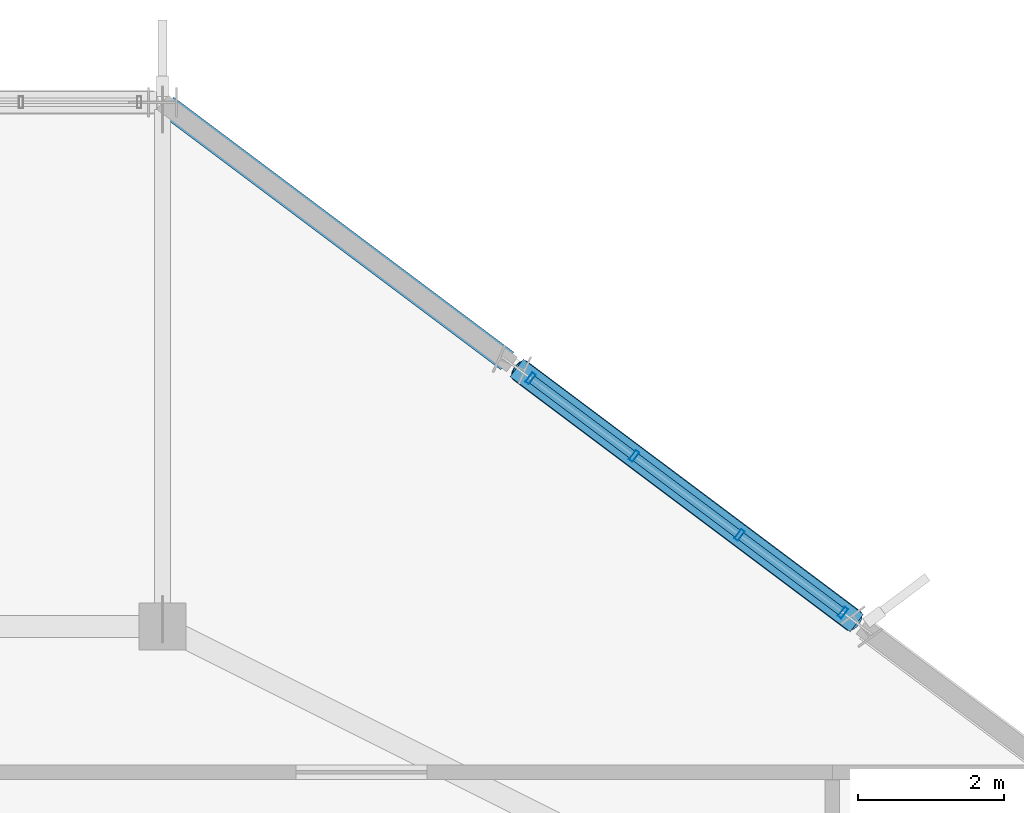
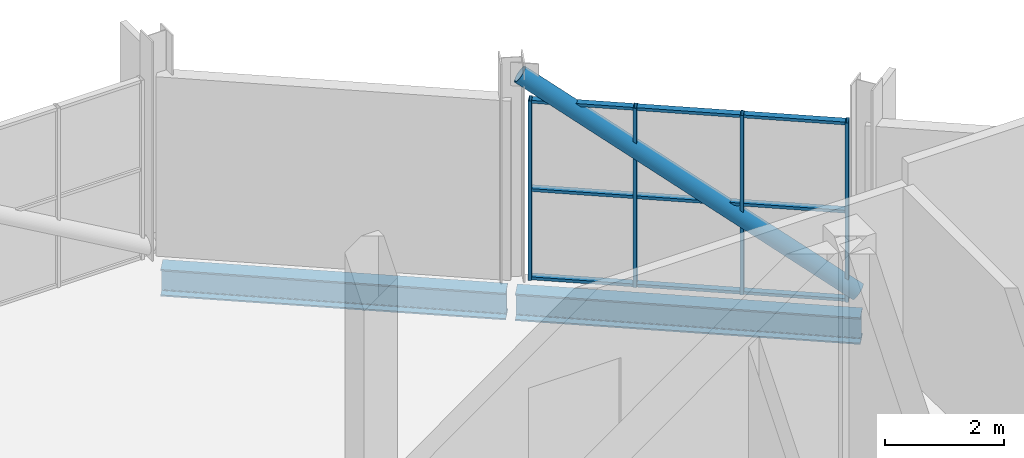
# One storey, part 10 of 22: 14 members, 2 beams, 1 element without a shape of its own.
"""IFC4 building model written with IfcOpenShell, lengths in metres."""

from ifc_helpers import new_model, si_unit, direction, frame, origin, origin_2d, place, context, subcontext, project, spatial, hollow_rectangle, hollow_circle, i_section, extrude, material, layer, layer_set, material_profile, profile_set, type_object, element, aggregate, save


model = new_model("IFC4")

# Units and contexts
model_context = context("Model", 3, precision=1e-05, world=origin(), true_north=direction((0.0, 1.0)))
body_context = subcontext(model_context, "Body", "Model", "MODEL_VIEW")
ifc_project = project(units=[si_unit("LENGTHUNIT", "METRE"), si_unit("AREAUNIT", "SQUARE_METRE"), si_unit("VOLUMEUNIT", "CUBIC_METRE"), si_unit("PLANEANGLEUNIT", "RADIAN"), si_unit("MASSUNIT", "GRAM", prefix="KILO")], contexts=[model_context])

# Site, building, storey
site_placement = place(None, origin())
site = spatial("IfcSite", under=ifc_project, at=site_placement, CompositionType="ELEMENT")
building_placement = place(site_placement, origin())
building = spatial("IfcBuilding", under=site, at=building_placement, Name="Solnavia Interchange Tower", CompositionType="ELEMENT")
storey_placement = place(building_placement, frame((0.0, 0.0, 308.699951171875)))
storey = spatial("IfcBuildingStorey", under=building, at=storey_placement, Name="C02", CompositionType="ELEMENT", Elevation=308.699951171875)

# Curtain wall, members
ifc_material_1 = material(Name="Aluminium Alloy 6063-T6", Category="aluminium")
ifc_layer = layer(ifc_material_1, 0.179931640625)
ifc_layer_set = layer_set([ifc_layer], Name="Aluminium Alloy 6063-T6")
curtain_wall_type = type_object("IfcCurtainWallType", Name="CurtainWall-Crown-CTW6", PredefinedType="NOTDEFINED", material=ifc_layer_set)
curtain_wall_placement = place(storey_placement, origin())
curtain_wall = element("IfcCurtainWall", 1, at=curtain_wall_placement, inside=storey, type_object=curtain_wall_type, Name="CTW-C02-R03 CTW-6 curtain wall", PredefinedType="NOTDEFINED")
ifc_material_profile_1 = material_profile(ifc_material_1, hollow_rectangle(XDim=0.06005859375, YDim=0.159912109375, WallThickness=0.00390625, at=origin_2d()), Name="ALU 160x60x4")
ifc_profile_set_1 = profile_set([ifc_material_profile_1], Name="Aluminium Alloy 6063-T6")
member_type_1 = type_object("IfcMemberType", Name="CW-Mullion-CWM-6", PredefinedType="MULLION", material=ifc_profile_set_1)
member_1_placement = place(storey_placement, frame((34.545166015625, 28.9912109375, 0.0), z_axis=(0.0, 0.0, 1.0), x_axis=(-0.799999999998, 0.600000000002, 0.0)))
member_1 = element("IfcMember", 2, at=member_1_placement, type_object=member_type_1, Name="CTW-6 mullion 1", PredefinedType="MULLION", context=body_context, shape_type="SweptSolid", body=[
    extrude(hollow_rectangle(XDim=0.06005859375, YDim=0.159912109375, WallThickness=0.00390625, at=origin_2d()), origin(), (0.0, 0.0, 1.0), 3.679931640625),
])
member_2_placement = place(storey_placement, frame((33.123046875, 30.0576171875, 0.0), z_axis=(0.0, 0.0, 1.0), x_axis=(-0.799999999998, 0.600000000002, 0.0)))
member_2 = element("IfcMember", 3, at=member_2_placement, type_object=member_type_1, Name="CTW-6 mullion 2", PredefinedType="MULLION", context=body_context, shape_type="SweptSolid", body=[
    extrude(hollow_rectangle(XDim=0.06005859375, YDim=0.159912109375, WallThickness=0.00390625, at=origin_2d()), origin(), (0.0, 0.0, 1.0), 3.679931640625),
])
member_3_placement = place(storey_placement, frame((31.677001953125, 31.142333984375, 0.0), z_axis=(0.0, 0.0, 1.0), x_axis=(-0.799999999998, 0.600000000002, 0.0)))
member_3 = element("IfcMember", 4, at=member_3_placement, type_object=member_type_1, Name="CTW-6 mullion 3", PredefinedType="MULLION", context=body_context, shape_type="SweptSolid", body=[
    extrude(hollow_rectangle(XDim=0.06005859375, YDim=0.159912109375, WallThickness=0.00390625, at=origin_2d()), origin(), (0.0, 0.0, 1.0), 3.679931640625),
])
member_4_placement = place(storey_placement, frame((30.2548828125, 32.208984375, 0.0), z_axis=(0.0, 0.0, 1.0), x_axis=(-0.799999999998, 0.600000000002, 0.0)))
member_4 = element("IfcMember", 5, at=member_4_placement, type_object=member_type_1, Name="CTW-6 mullion 4", PredefinedType="MULLION", context=body_context, shape_type="SweptSolid", body=[
    extrude(hollow_rectangle(XDim=0.06005859375, YDim=0.159912109375, WallThickness=0.00390625, at=origin_2d()), origin(), (0.0, 0.0, 1.0), 3.679931640625),
])
ifc_material_profile_2 = material_profile(ifc_material_1, hollow_rectangle(XDim=0.06005859375, YDim=0.1201171875, WallThickness=0.00390625, at=origin_2d()), Name="ALU 120x60x4")
ifc_profile_set_2 = profile_set([ifc_material_profile_2], Name="Aluminium Alloy 6063-T6")
member_type_2 = type_object("IfcMemberType", Name="CW-Transom-CWT-6", PredefinedType="USERDEFINED", material=ifc_profile_set_2)
member_5_placement = place(storey_placement, frame((34.521240234375, 29.009033203125, 0.030029296875), z_axis=(-0.799982945501, 0.600022738658, 0.0), x_axis=(0.0, 0.0, 1.0)))
member_5 = element("IfcMember", 6, at=member_5_placement, type_object=member_type_2, Name="CTW-6 transom 1.1", ObjectType="TRANSOM", PredefinedType="USERDEFINED", context=body_context, shape_type="SweptSolid", body=[
    extrude(hollow_rectangle(XDim=0.06005859375, YDim=0.1201171875, WallThickness=0.00390625, at=origin_2d()), origin(), (0.0, 0.0, 1.0), 1.7177734375),
])
member_6_placement = place(storey_placement, frame((34.521240234375, 29.009033203125, 1.840087890625), z_axis=(-0.799982945501, 0.600022738658, 0.0), x_axis=(0.0, 0.0, 1.0)))
member_6 = element("IfcMember", 7, at=member_6_placement, type_object=member_type_2, Name="CTW-6 transom 1.2", ObjectType="TRANSOM", PredefinedType="USERDEFINED", context=body_context, shape_type="SweptSolid", body=[
    extrude(hollow_rectangle(XDim=0.06005859375, YDim=0.1201171875, WallThickness=0.00390625, at=origin_2d()), origin(), (0.0, 0.0, 1.0), 1.7177734375),
])
member_7_placement = place(storey_placement, frame((34.521240234375, 29.009033203125, 3.650146484375), z_axis=(-0.799982945501, 0.600022738658, 0.0), x_axis=(0.0, 0.0, 1.0)))
member_7 = element("IfcMember", 8, at=member_7_placement, type_object=member_type_2, Name="CTW-6 transom 1.3", ObjectType="TRANSOM", PredefinedType="USERDEFINED", context=body_context, shape_type="SweptSolid", body=[
    extrude(hollow_rectangle(XDim=0.06005859375, YDim=0.1201171875, WallThickness=0.00390625, at=origin_2d()), origin(), (0.0, 0.0, 1.0), 1.7177734375),
])
member_8_placement = place(storey_placement, frame((33.09912109375, 30.07568359375, 0.030029296875), z_axis=(-0.800016762742, 0.599977649027, 0.0), x_axis=(0.0, 0.0, 1.0)))
member_8 = element("IfcMember", 9, at=member_8_placement, type_object=member_type_2, Name="CTW-6 transom 2.1", ObjectType="TRANSOM", PredefinedType="USERDEFINED", context=body_context, shape_type="SweptSolid", body=[
    extrude(hollow_rectangle(XDim=0.06005859375, YDim=0.1201171875, WallThickness=0.00390625, at=origin_2d()), origin(), (0.0, 0.0, 1.0), 1.747802734375),
])
member_9_placement = place(storey_placement, frame((33.09912109375, 30.07568359375, 1.840087890625), z_axis=(-0.800016762742, 0.599977649027, 0.0), x_axis=(0.0, 0.0, 1.0)))
member_9 = element("IfcMember", 10, at=member_9_placement, type_object=member_type_2, Name="CTW-6 transom 2.2", ObjectType="TRANSOM", PredefinedType="USERDEFINED", context=body_context, shape_type="SweptSolid", body=[
    extrude(hollow_rectangle(XDim=0.06005859375, YDim=0.1201171875, WallThickness=0.00390625, at=origin_2d()), origin(), (0.0, 0.0, 1.0), 1.747802734375),
])
member_10_placement = place(storey_placement, frame((33.09912109375, 30.07568359375, 3.650146484375), z_axis=(-0.800016762742, 0.599977649027, 0.0), x_axis=(0.0, 0.0, 1.0)))
member_10 = element("IfcMember", 11, at=member_10_placement, type_object=member_type_2, Name="CTW-6 transom 2.3", ObjectType="TRANSOM", PredefinedType="USERDEFINED", context=body_context, shape_type="SweptSolid", body=[
    extrude(hollow_rectangle(XDim=0.06005859375, YDim=0.1201171875, WallThickness=0.00390625, at=origin_2d()), origin(), (0.0, 0.0, 1.0), 1.747802734375),
])
member_11_placement = place(storey_placement, frame((31.65283203125, 31.160400390625, 0.030029296875), z_axis=(-0.8, 0.6, 0.0), x_axis=(0.0, 0.0, 1.0)))
member_11 = element("IfcMember", 12, at=member_11_placement, type_object=member_type_2, Name="CTW-6 transom 3.1", ObjectType="TRANSOM", PredefinedType="USERDEFINED", context=body_context, shape_type="SweptSolid", body=[
    extrude(hollow_rectangle(XDim=0.06005859375, YDim=0.1201171875, WallThickness=0.00390625, at=origin_2d()), origin(), (0.0, 0.0, 1.0), 1.717529296875),
])
member_12_placement = place(storey_placement, frame((31.65283203125, 31.160400390625, 1.840087890625), z_axis=(-0.8, 0.6, 0.0), x_axis=(0.0, 0.0, 1.0)))
member_12 = element("IfcMember", 13, at=member_12_placement, type_object=member_type_2, Name="CTW-6 transom 3.2", ObjectType="TRANSOM", PredefinedType="USERDEFINED", context=body_context, shape_type="SweptSolid", body=[
    extrude(hollow_rectangle(XDim=0.06005859375, YDim=0.1201171875, WallThickness=0.00390625, at=origin_2d()), origin(), (0.0, 0.0, 1.0), 1.717529296875),
])
member_13_placement = place(storey_placement, frame((31.65283203125, 31.160400390625, 3.650146484375), z_axis=(-0.8, 0.6, 0.0), x_axis=(0.0, 0.0, 1.0)))
member_13 = element("IfcMember", 14, at=member_13_placement, type_object=member_type_2, Name="CTW-6 transom 3.3", ObjectType="TRANSOM", PredefinedType="USERDEFINED", context=body_context, shape_type="SweptSolid", body=[
    extrude(hollow_rectangle(XDim=0.06005859375, YDim=0.1201171875, WallThickness=0.00390625, at=origin_2d()), origin(), (0.0, 0.0, 1.0), 1.717529296875),
])
aggregate(curtain_wall, [member_1, member_2, member_3, member_4, member_5, member_6, member_7, member_8, member_9, member_10, member_11, member_12, member_13])

# Member
ifc_material_2 = material(Name="Steel S355", Category="steel")
ifc_material_profile_3 = material_profile(ifc_material_2, hollow_circle(Radius=0.161865234375, WallThickness=0.01611328125, at=origin_2d()), Name="CHS 323.9x16")
ifc_profile_set_3 = profile_set([ifc_material_profile_3], Name="Steel S355")
member_type_3 = type_object("IfcMemberType", Name="CrownFrame-Brace-CHS323", PredefinedType="BRACE", material=ifc_profile_set_3)
member_14_placement = place(storey_placement, frame((34.68798828125, 28.884033203125, 0.179931640625), z_axis=(-0.656664719277, 0.492489780658, 0.571178835745), x_axis=(-0.599993170718, -0.800005121916, 0.0)))
element("IfcMember", 15, at=member_14_placement, inside=storey, type_object=member_type_3, Name="BRC-C02-CF03 CROWN FRAME ring brace", PredefinedType="BRACE", context=body_context, shape_type="SweptSolid", body=[
    extrude(hollow_circle(Radius=0.161865234375, WallThickness=0.01611328125, at=origin_2d()), origin(), (0.0, 0.0, 1.0), 6.968505859375),
])

# Beams
ifc_material_3 = material(Name="Steel S460", Category="steel")
ifc_material_profile_4 = material_profile(ifc_material_3, i_section(OverallWidth=0.300048828125, OverallDepth=0.550048828125, WebThickness=0.014892578125, FlangeThickness=0.029052734375, FilletRadius=0.027099609375, at=origin_2d()), Name="HEB 550")
ifc_profile_set_4 = profile_set([ifc_material_profile_4], Name="Steel S460")
beam_type = type_object("IfcBeamType", Name="CrownFrame-Ring-HEB550", PredefinedType="BEAM", material=ifc_profile_set_4)
for number, where, z_axis, x_axis, name in (
    (16, (34.736083984375, 28.847900390625, -0.52490234375), (-0.799994983543, 0.600006688551, 0.0), (-0.600006688551, -0.799994983543, 0.0), "GRD-C02-CR03 CROWN FRAME outer collar ring beam"),
    (17, (29.93603515625, 32.447998046875, -0.52490234375), (-0.800015049412, 0.599979933593, 0.0), (-0.599979933593, -0.800015049412, 0.0), "GRD-C02-CR04 CROWN FRAME outer collar ring beam"),
):
    element("IfcBeam", number, at=place(storey_placement, frame(where, z_axis=z_axis, x_axis=x_axis)), inside=storey, type_object=beam_type, Name=name, PredefinedType="BEAM", context=body_context, shape_type="SweptSolid", body=[
        extrude(i_section(OverallWidth=0.300048828125, OverallDepth=0.550048828125, WebThickness=0.014892578125, FlangeThickness=0.029052734375, FilletRadius=0.027099609375, at=origin_2d()), origin(), (0.0, 0.0, 1.0), 5.840087890625),
    ])

save(model, "model.ifc")
